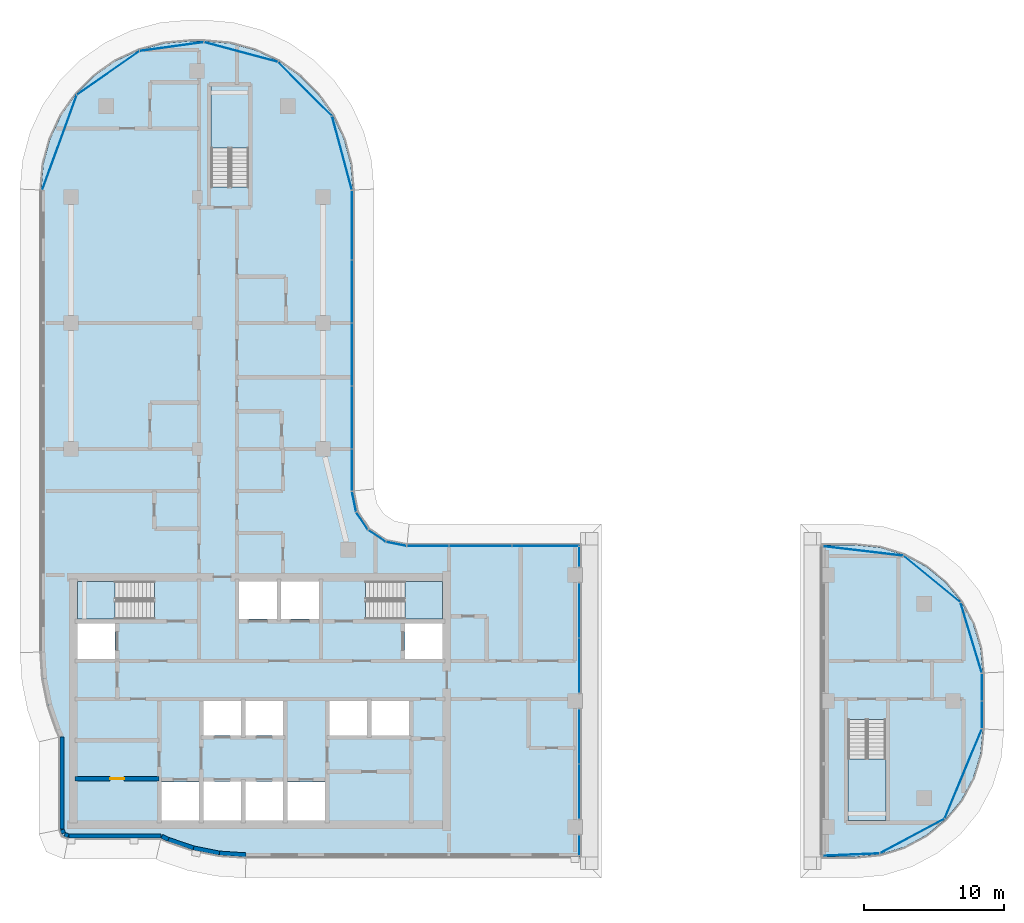
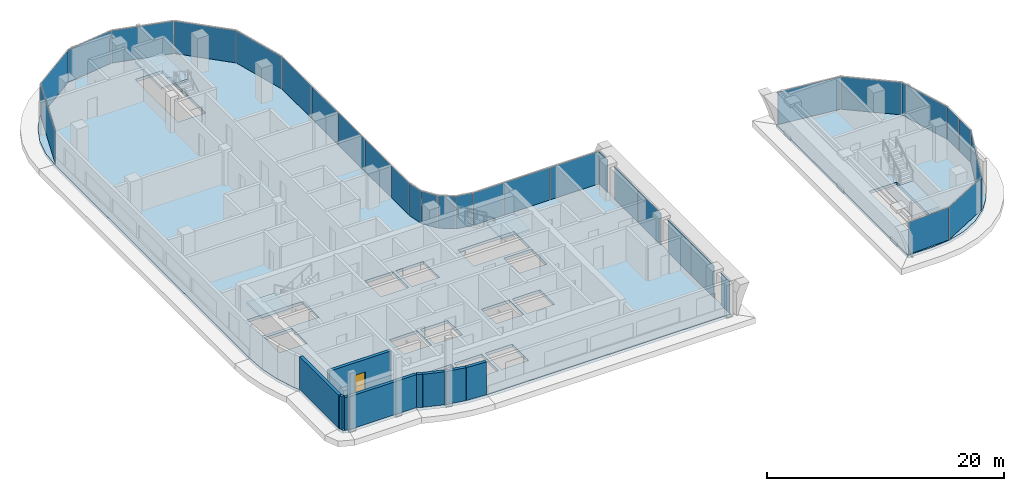
# One storey, part 9 of 26: 32 plates, 9 walls, 6 slabs, 1 door, 1 opening, 15 elements without a shape of their own.
"""IFC4 building model written with IfcOpenShell, lengths in metres."""

from ifc_helpers import new_model, si_unit, direction, frame, frame_2d, origin, origin_2d, place, context, subcontext, project, spatial, polyline, rectangle, outline, extrude, material, layer, layer_set, type_object, element, fill, aggregate, save


model = new_model("IFC4")

# Units and contexts
model_context = context("Model", 3, precision=1e-05, world=origin(), true_north=direction((0.0, 1.0)))
body_context = subcontext(model_context, "Body", "Model", "MODEL_VIEW")
ifc_project = project(units=[si_unit("LENGTHUNIT", "METRE"), si_unit("AREAUNIT", "SQUARE_METRE"), si_unit("VOLUMEUNIT", "CUBIC_METRE"), si_unit("PLANEANGLEUNIT", "RADIAN"), si_unit("MASSUNIT", "GRAM", prefix="KILO")], contexts=[model_context])

# Site, building, storey
site_placement = place(None, origin())
site = spatial("IfcSite", under=ifc_project, at=site_placement, CompositionType="ELEMENT")
building_placement = place(site_placement, origin())
building = spatial("IfcBuilding", under=site, at=building_placement, Name="Ogive Portal Towers", CompositionType="ELEMENT")
storey_placement = place(building_placement, frame((0.0, 0.0, 171.800048828125)))
storey = spatial("IfcBuildingStorey", under=building, at=storey_placement, Name="L42", CompositionType="ELEMENT", Elevation=171.800048828125)

# Curtain wall, plate
ifc_material_1 = material(Name="Glass, clear low-iron insulated glazing", Category="glass")
curtain_wall_type = type_object("IfcCurtainWallType", Name="CW FRONT RIBBON 4500", PredefinedType="NOTDEFINED", material=ifc_material_1)
curtain_wall_1_placement = place(storey_placement, origin())
curtain_wall_1 = element("IfcCurtainWall", 1, at=curtain_wall_1_placement, inside=storey, type_object=curtain_wall_type, Name="A:L42:f09:cw0~0", PredefinedType="NOTDEFINED")
ifc_layer_1 = layer(ifc_material_1, 0.028076171875)
ifc_layer_set_1 = layer_set([ifc_layer_1], Name="CW PANEL IGU 28")
plate_type = type_object("IfcPlateType", Name="CW PANEL IGU 28", PredefinedType="CURTAIN_PANEL", material=ifc_layer_set_1)
plate_1_placement = place(storey_placement, frame((67.800048828125, 20.1923828125, 0.0), z_axis=(0.0, 0.0, 1.0), x_axis=(0.0, 1.0, 0.0)))
plate_1 = element("IfcPlate", 2, at=plate_1_placement, type_object=plate_type, Name="panel", PredefinedType="CURTAIN_PANEL", context=body_context, shape_type="SweptSolid", body=[
    extrude(rectangle(XDim=1.455078125, YDim=0.028076171875, at=origin_2d()), origin(), (0.0, 0.0, 1.0), 3.340087890625),
])
aggregate(curtain_wall_1, [plate_1])

# Curtain wall, plates
curtain_wall_2_placement = place(storey_placement, origin())
curtain_wall_2 = element("IfcCurtainWall", 3, at=curtain_wall_2_placement, inside=storey, type_object=curtain_wall_type, Name="A:L42:f09:cw0~1", PredefinedType="NOTDEFINED")
plate_2_placement = place(storey_placement, frame((67.800048828125, 24.02490234375, 0.0), z_axis=(0.0, 0.0, 1.0), x_axis=(0.0, 1.0, 0.0)))
plate_2 = element("IfcPlate", 4, at=plate_2_placement, type_object=plate_type, Name="panel", PredefinedType="CURTAIN_PANEL", context=body_context, shape_type="SweptSolid", body=[
    extrude(rectangle(XDim=3.889892578125, YDim=0.028076171875, at=origin_2d()), origin(), (0.0, 0.0, 1.0), 3.340087890625),
])
plate_3_placement = place(storey_placement, frame((67.800048828125, 27.97509765625, 0.0), z_axis=(0.0, 0.0, 1.0), x_axis=(0.0, 1.0, 0.0)))
plate_3 = element("IfcPlate", 5, at=plate_3_placement, type_object=plate_type, Name="panel", PredefinedType="CURTAIN_PANEL", context=body_context, shape_type="SweptSolid", body=[
    extrude(rectangle(XDim=3.889892578125, YDim=0.028076171875, at=origin_2d()), origin(), (0.0, 0.0, 1.0), 3.340087890625),
])
aggregate(curtain_wall_2, [plate_2, plate_3])

curtain_wall_3_placement = place(storey_placement, origin())
curtain_wall_3 = element("IfcCurtainWall", 6, at=curtain_wall_3_placement, inside=storey, type_object=curtain_wall_type, Name="A:L42:f09:cw0~2", PredefinedType="NOTDEFINED")
plate_4_placement = place(storey_placement, frame((67.800048828125, 33.02490234375, 0.0), z_axis=(0.0, 0.0, 1.0), x_axis=(0.0, 1.0, 0.0)))
plate_4 = element("IfcPlate", 7, at=plate_4_placement, type_object=plate_type, Name="panel", PredefinedType="CURTAIN_PANEL", context=body_context, shape_type="SweptSolid", body=[
    extrude(rectangle(XDim=3.889892578125, YDim=0.028076171875, at=origin_2d()), origin(), (0.0, 0.0, 1.0), 3.340087890625),
])
plate_5_placement = place(storey_placement, frame((67.800048828125, 36.97509765625, 0.0), z_axis=(0.0, 0.0, 1.0), x_axis=(0.0, 1.0, 0.0)))
plate_5 = element("IfcPlate", 8, at=plate_5_placement, type_object=plate_type, Name="panel", PredefinedType="CURTAIN_PANEL", context=body_context, shape_type="SweptSolid", body=[
    extrude(rectangle(XDim=3.889892578125, YDim=0.028076171875, at=origin_2d()), origin(), (0.0, 0.0, 1.0), 3.340087890625),
])
aggregate(curtain_wall_3, [plate_4, plate_5])

# Curtain wall, plate
curtain_wall_4_placement = place(storey_placement, origin())
curtain_wall_4 = element("IfcCurtainWall", 9, at=curtain_wall_4_placement, inside=storey, type_object=curtain_wall_type, Name="A:L42:f09:cw0~3", PredefinedType="NOTDEFINED")
plate_6_placement = place(storey_placement, frame((67.800048828125, 40.8076171875, 0.0), z_axis=(0.0, 0.0, 1.0), x_axis=(0.0, 1.0, 0.0)))
plate_6 = element("IfcPlate", 10, at=plate_6_placement, type_object=plate_type, Name="panel", PredefinedType="CURTAIN_PANEL", context=body_context, shape_type="SweptSolid", body=[
    extrude(rectangle(XDim=1.455078125, YDim=0.028076171875, at=origin_2d()), origin(), (0.0, 0.0, 1.0), 3.340087890625),
])
aggregate(curtain_wall_4, [plate_6])

# Curtain wall, plates
curtain_wall_5_placement = place(storey_placement, origin())
curtain_wall_5 = element("IfcCurtainWall", 11, at=curtain_wall_5_placement, inside=storey, type_object=curtain_wall_type, Name="A:L42:f10:cw0", PredefinedType="NOTDEFINED")
plate_7_placement = place(storey_placement, frame((65.39990234375, 41.56494140625, 0.0), z_axis=(0.0, 0.0, 1.0), x_axis=(-1.0, 0.0, 0.0)))
plate_7 = element("IfcPlate", 12, at=plate_7_placement, type_object=plate_type, Name="panel", PredefinedType="CURTAIN_PANEL", context=body_context, shape_type="SweptSolid", body=[
    extrude(rectangle(XDim=4.739990234375, YDim=0.028076171875, at=origin_2d()), origin(), (0.0, 0.0, 1.0), 3.340087890625),
])
plate_8_placement = place(storey_placement, frame((60.75, 41.56494140625, 0.0), z_axis=(0.0, 0.0, 1.0), x_axis=(-1.0, 0.0, 0.0)))
plate_8 = element("IfcPlate", 13, at=plate_8_placement, type_object=plate_type, Name="panel", PredefinedType="CURTAIN_PANEL", context=body_context, shape_type="SweptSolid", body=[
    extrude(rectangle(XDim=4.43994140625, YDim=0.028076171875, at=origin_2d()), origin(), (0.0, 0.0, 1.0), 3.340087890625),
])
plate_9_placement = place(storey_placement, frame((56.99609375, 41.56494140625, 0.0), z_axis=(0.0, 0.0, 1.0), x_axis=(-1.0, 0.0, 0.0)))
plate_9 = element("IfcPlate", 14, at=plate_9_placement, type_object=plate_type, Name="panel", PredefinedType="CURTAIN_PANEL", context=body_context, shape_type="SweptSolid", body=[
    extrude(rectangle(XDim=2.947998046875, YDim=0.028076171875, at=origin_2d()), origin(), (0.0, 0.0, 1.0), 3.340087890625),
])
aggregate(curtain_wall_5, [plate_7, plate_8, plate_9])

curtain_wall_6_placement = place(storey_placement, origin())
curtain_wall_6 = element("IfcCurtainWall", 15, at=curtain_wall_6_placement, inside=storey, type_object=curtain_wall_type, Name="A:L42:f15:cw0", PredefinedType="NOTDEFINED")
plate_10_placement = place(storey_placement, frame((51.56494140625, 46.99609375, 0.0), z_axis=(0.0, 0.0, 1.0), x_axis=(0.0, 1.0, 0.0)))
plate_10 = element("IfcPlate", 16, at=plate_10_placement, type_object=plate_type, Name="panel", PredefinedType="CURTAIN_PANEL", context=body_context, shape_type="SweptSolid", body=[
    extrude(rectangle(XDim=2.947998046875, YDim=0.028076171875, at=origin_2d()), origin(), (0.0, 0.0, 1.0), 3.340087890625),
])
plate_11_placement = place(storey_placement, frame((51.56494140625, 50.75, 0.0), z_axis=(0.0, 0.0, 1.0), x_axis=(0.0, 1.0, 0.0)))
plate_11 = element("IfcPlate", 17, at=plate_11_placement, type_object=plate_type, Name="panel", PredefinedType="CURTAIN_PANEL", context=body_context, shape_type="SweptSolid", body=[
    extrude(rectangle(XDim=4.43994140625, YDim=0.028076171875, at=origin_2d()), origin(), (0.0, 0.0, 1.0), 3.340087890625),
])
plate_12_placement = place(storey_placement, frame((51.56494140625, 55.25, 0.0), z_axis=(0.0, 0.0, 1.0), x_axis=(0.0, 1.0, 0.0)))
plate_12 = element("IfcPlate", 18, at=plate_12_placement, type_object=plate_type, Name="panel", PredefinedType="CURTAIN_PANEL", context=body_context, shape_type="SweptSolid", body=[
    extrude(rectangle(XDim=4.43994140625, YDim=0.028076171875, at=origin_2d()), origin(), (0.0, 0.0, 1.0), 3.340087890625),
])
plate_13_placement = place(storey_placement, frame((51.56494140625, 59.75, 0.0), z_axis=(0.0, 0.0, 1.0), x_axis=(0.0, 1.0, 0.0)))
plate_13 = element("IfcPlate", 19, at=plate_13_placement, type_object=plate_type, Name="panel", PredefinedType="CURTAIN_PANEL", context=body_context, shape_type="SweptSolid", body=[
    extrude(rectangle(XDim=4.43994140625, YDim=0.028076171875, at=origin_2d()), origin(), (0.0, 0.0, 1.0), 3.340087890625),
])
plate_14_placement = place(storey_placement, frame((51.56494140625, 64.49462890625, 0.0), z_axis=(0.0, 0.0, 1.0), x_axis=(0.0, 1.0, 0.0)))
plate_14 = element("IfcPlate", 20, at=plate_14_placement, type_object=plate_type, Name="panel", PredefinedType="CURTAIN_PANEL", context=body_context, shape_type="SweptSolid", body=[
    extrude(rectangle(XDim=4.929443359375, YDim=0.028076171875, at=origin_2d()), origin(), (0.0, 0.0, 1.0), 3.340087890625),
])
aggregate(curtain_wall_6, [plate_10, plate_11, plate_12, plate_13, plate_14])

curtain_wall_7_placement = place(storey_placement, origin())
curtain_wall_7 = element("IfcCurtainWall", 21, at=curtain_wall_7_placement, inside=storey, type_object=curtain_wall_type, Name="A:L42:f31:cw0", PredefinedType="NOTDEFINED")
plate_15_placement = place(storey_placement, frame((96.56494140625, 29.508056640625, 0.0), z_axis=(0.0, 0.0, 1.0), x_axis=(0.0, 1.0, 0.0)))
plate_15 = element("IfcPlate", 22, at=plate_15_placement, type_object=plate_type, Name="panel", PredefinedType="CURTAIN_PANEL", context=body_context, shape_type="SweptSolid", body=[
    extrude(rectangle(XDim=1.924072265625, YDim=0.028076171875, at=origin_2d()), origin(), (0.0, 0.0, 1.0), 3.340087890625),
])
plate_16_placement = place(storey_placement, frame((96.56494140625, 31.494140625, 0.0), z_axis=(0.0, 0.0, 1.0), x_axis=(0.0, 1.0, 0.0)))
plate_16 = element("IfcPlate", 23, at=plate_16_placement, type_object=plate_type, Name="panel", PredefinedType="CURTAIN_PANEL", context=body_context, shape_type="SweptSolid", body=[
    extrude(rectangle(XDim=1.92822265625, YDim=0.028076171875, at=origin_2d()), origin(), (0.0, 0.0, 1.0), 3.340087890625),
])
aggregate(curtain_wall_7, [plate_15, plate_16])

curtain_wall_8_placement = place(storey_placement, origin())
curtain_wall_8 = element("IfcCurtainWall", 24, at=curtain_wall_8_placement, inside=storey, type_object=curtain_wall_type, Name="A:L42:f11:cwa", PredefinedType="NOTDEFINED")
plate_17_placement = place(storey_placement, frame((54.742919921875, 41.714111328125, 0.0), z_axis=(0.0, 0.0, 1.0), x_axis=(-0.980785280403, 0.195090322016, 0.0)))
plate_17 = element("IfcPlate", 25, at=plate_17_placement, type_object=plate_type, Name="panel", PredefinedType="CURTAIN_PANEL", context=body_context, shape_type="SweptSolid", body=[
    extrude(rectangle(XDim=1.468017578125, YDim=0.028076171875, at=origin_2d()), origin(), (0.0, 0.0, 1.0), 3.340087890625),
])
plate_18_placement = place(storey_placement, frame((53.35498046875, 42.289794921875, 0.0), z_axis=(0.0, 0.0, 1.0), x_axis=(-0.831469612303, 0.55557023302, 0.0)))
plate_18 = element("IfcPlate", 26, at=plate_18_placement, type_object=plate_type, Name="panel", PredefinedType="CURTAIN_PANEL", context=body_context, shape_type="SweptSolid", body=[
    extrude(rectangle(XDim=1.47607421875, YDim=0.028076171875, at=origin_2d()), origin(), (0.0, 0.0, 1.0), 3.340087890625),
])
plate_19_placement = place(storey_placement, frame((52.289794921875, 43.35498046875, 0.0), z_axis=(0.0, 0.0, 1.0), x_axis=(-0.55557023302, 0.831469612303, 0.0)))
plate_19 = element("IfcPlate", 27, at=plate_19_placement, type_object=plate_type, Name="panel", PredefinedType="CURTAIN_PANEL", context=body_context, shape_type="SweptSolid", body=[
    extrude(rectangle(XDim=1.47607421875, YDim=0.028076171875, at=origin_2d()), origin(), (0.0, 0.0, 1.0), 3.340087890625),
])
plate_20_placement = place(storey_placement, frame((51.714111328125, 44.742919921875, 0.0), z_axis=(0.0, 0.0, 1.0), x_axis=(-0.195090322016, 0.980785280403, 0.0)))
plate_20 = element("IfcPlate", 28, at=plate_20_placement, type_object=plate_type, Name="panel", PredefinedType="CURTAIN_PANEL", context=body_context, shape_type="SweptSolid", body=[
    extrude(rectangle(XDim=1.468017578125, YDim=0.028076171875, at=origin_2d()), origin(), (0.0, 0.0, 1.0), 3.340087890625),
])
aggregate(curtain_wall_8, [plate_17, plate_18, plate_19, plate_20])

curtain_wall_9_placement = place(storey_placement, origin())
curtain_wall_9 = element("IfcCurtainWall", 29, at=curtain_wall_9_placement, inside=storey, type_object=curtain_wall_type, Name="A:L42:f16:cwa", PredefinedType="NOTDEFINED")
plate_21_placement = place(storey_placement, frame((50.85595703125, 69.63525390625, 0.0), z_axis=(0.0, 0.0, 1.0), x_axis=(-0.258819045103, 0.965925826289, 0.0)))
plate_21 = element("IfcPlate", 30, at=plate_21_placement, type_object=plate_type, Name="panel", PredefinedType="CURTAIN_PANEL", context=body_context, shape_type="SweptSolid", body=[
    extrude(rectangle(XDim=5.418212890625, YDim=0.028076171875, at=origin_2d()), origin(), (0.0, 0.0, 1.0), 3.340087890625),
])
plate_22_placement = place(storey_placement, frame((48.214111328125, 74.214111328125, 0.0), z_axis=(0.0, 0.0, 1.0), x_axis=(-0.707106781187, 0.707106781187, 0.0)))
plate_22 = element("IfcPlate", 31, at=plate_22_placement, type_object=plate_type, Name="panel", PredefinedType="CURTAIN_PANEL", context=body_context, shape_type="SweptSolid", body=[
    extrude(rectangle(XDim=5.407470703125, YDim=0.028076171875, at=origin_2d()), origin(), (0.0, 0.0, 1.0), 3.340087890625),
])
plate_23_placement = place(storey_placement, frame((43.637939453125, 76.855224609375, 0.0), z_axis=(0.0, 0.0, 1.0), x_axis=(-0.965925826289, 0.258819045103, 0.0)))
plate_23 = element("IfcPlate", 32, at=plate_23_placement, type_object=plate_type, Name="panel", PredefinedType="CURTAIN_PANEL", context=body_context, shape_type="SweptSolid", body=[
    extrude(rectangle(XDim=5.41259765625, YDim=0.028076171875, at=origin_2d()), origin(), (0.0, 0.0, 1.0), 3.340087890625),
])
plate_24_placement = place(storey_placement, frame((38.692138671875, 77.244873046875, 0.0), z_axis=(0.0, 0.0, 1.0), x_axis=(-0.990567282946, -0.137027216118, 0.0)))
plate_24 = element("IfcPlate", 33, at=plate_24_placement, type_object=plate_type, Name="panel", PredefinedType="CURTAIN_PANEL", context=body_context, shape_type="SweptSolid", body=[
    extrude(rectangle(XDim=4.589599609375, YDim=0.028076171875, at=origin_2d()), origin(), (0.0, 0.0, 1.0), 3.340087890625),
])
plate_25_placement = place(storey_placement, frame((34.150634765625, 75.35888671875, 0.0), z_axis=(0.0, 0.0, 1.0), x_axis=(-0.819152044289, -0.573576436351, 0.0)))
plate_25 = element("IfcPlate", 34, at=plate_25_placement, type_object=plate_type, Name="panel", PredefinedType="CURTAIN_PANEL", context=body_context, shape_type="SweptSolid", body=[
    extrude(rectangle(XDim=5.40576171875, YDim=0.028076171875, at=origin_2d()), origin(), (0.0, 0.0, 1.0), 3.340087890625),
])
plate_26_placement = place(storey_placement, frame((30.673583984375, 70.388671875, 0.0), z_axis=(0.0, 0.0, 1.0), x_axis=(-0.342020143326, -0.939692620786, 0.0)))
plate_26 = element("IfcPlate", 35, at=plate_26_placement, type_object=plate_type, Name="panel", PredefinedType="CURTAIN_PANEL", context=body_context, shape_type="SweptSolid", body=[
    extrude(rectangle(XDim=7.182373046875, YDim=0.028076171875, at=origin_2d()), origin(), (0.0, 0.0, 1.0), 3.340087890625),
])
aggregate(curtain_wall_9, [plate_21, plate_22, plate_23, plate_24, plate_25, plate_26])

curtain_wall_10_placement = place(storey_placement, origin())
curtain_wall_10 = element("IfcCurtainWall", 36, at=curtain_wall_10_placement, inside=storey, type_object=curtain_wall_type, Name="A:L42:f28:cwa", PredefinedType="NOTDEFINED")
plate_27_placement = place(storey_placement, frame((87.231201171875, 19.524169921875, 0.0), z_axis=(0.0, 0.0, 1.0), x_axis=(0.999110832713, 0.04216092926, 0.0)))
plate_27 = element("IfcPlate", 37, at=plate_27_placement, type_object=plate_type, Name="panel", PredefinedType="CURTAIN_PANEL", context=body_context, shape_type="SweptSolid", body=[
    extrude(rectangle(XDim=4.006103515625, YDim=0.028076171875, at=origin_2d()), origin(), (0.0, 0.0, 1.0), 3.340087890625),
])
plate_28_placement = place(storey_placement, frame((91.5830078125, 20.850341796875, 0.0), z_axis=(0.0, 0.0, 1.0), x_axis=(0.881921264348, 0.471396736826, 0.0)))
plate_28 = element("IfcPlate", 38, at=plate_28_placement, type_object=plate_type, Name="panel", PredefinedType="CURTAIN_PANEL", context=body_context, shape_type="SweptSolid", body=[
    extrude(rectangle(XDim=5.202392578125, YDim=0.028076171875, at=origin_2d()), origin(), (0.0, 0.0, 1.0), 3.340087890625),
])
plate_29_placement = place(storey_placement, frame((95.234375, 25.30322265625, 0.0), z_axis=(0.0, 0.0, 1.0), x_axis=(0.382683432365, 0.923879532511, 0.0)))
plate_29 = element("IfcPlate", 39, at=plate_29_placement, type_object=plate_type, Name="panel", PredefinedType="CURTAIN_PANEL", context=body_context, shape_type="SweptSolid", body=[
    extrude(rectangle(XDim=6.894775390625, YDim=0.028076171875, at=origin_2d()), origin(), (0.0, 0.0, 1.0), 3.340087890625),
])
aggregate(curtain_wall_10, [plate_27, plate_28, plate_29])

curtain_wall_11_placement = place(storey_placement, origin())
curtain_wall_11 = element("IfcCurtainWall", 40, at=curtain_wall_11_placement, inside=storey, type_object=curtain_wall_type, Name="A:L42:f32:cwa", PredefinedType="NOTDEFINED")
plate_30_placement = place(storey_placement, frame((95.799560546875, 35.01123046875, 0.0), z_axis=(0.0, 0.0, 1.0), x_axis=(-0.290284677254, 0.956940335732, 0.0)))
plate_30 = element("IfcPlate", 41, at=plate_30_placement, type_object=plate_type, Name="panel", PredefinedType="CURTAIN_PANEL", context=body_context, shape_type="SweptSolid", body=[
    extrude(rectangle(XDim=5.213134765625, YDim=0.028076171875, at=origin_2d()), origin(), (0.0, 0.0, 1.0), 3.340087890625),
])
plate_31_placement = place(storey_placement, frame((93.000732421875, 39.203125, 0.0), z_axis=(0.0, 0.0, 1.0), x_axis=(-0.773010453363, 0.634393284164, 0.0)))
plate_31 = element("IfcPlate", 42, at=plate_31_placement, type_object=plate_type, Name="panel", PredefinedType="CURTAIN_PANEL", context=body_context, shape_type="SweptSolid", body=[
    extrude(rectangle(XDim=5.20166015625, YDim=0.028076171875, at=origin_2d()), origin(), (0.0, 0.0, 1.0), 3.340087890625),
])
plate_32_placement = place(storey_placement, frame((88.08349609375, 41.213623046875, 0.0), z_axis=(0.0, 0.0, 1.0), x_axis=(-0.993064110779, 0.117574112297, 0.0)))
plate_32 = element("IfcPlate", 43, at=plate_32_placement, type_object=plate_type, Name="panel", PredefinedType="CURTAIN_PANEL", context=body_context, shape_type="SweptSolid", body=[
    extrude(rectangle(XDim=5.747314453125, YDim=0.028076171875, at=origin_2d()), origin(), (0.0, 0.0, 1.0), 3.340087890625),
])
aggregate(curtain_wall_11, [plate_30, plate_31, plate_32])

# Stair, slab
ifc_material_2 = material(Name="Concrete C40/50", Category="concrete")
stair_type = type_object("IfcStairType", Name="INT-STAIR", PredefinedType="HALF_TURN_STAIR", material=ifc_material_2)
stair_1_placement = place(storey_placement, origin())
stair_1 = element("IfcStair", 44, at=stair_1_placement, inside=storey, type_object=stair_type, Name="L42 Exit Stair ST-A1", PredefinedType="HALF_TURN_STAIR")
ifc_layer_2 = layer(ifc_material_2, 0.199951171875)
ifc_layer_set_2 = layer_set([ifc_layer_2], Name="INT-LANDING")
slab_type_1 = type_object("IfcSlabType", Name="INT-LANDING", PredefinedType="LANDING", material=ifc_layer_set_2)
slab_1_placement = place(storey_placement, frame((0.0, 0.0, 1.64990234375)))
slab_1 = element("IfcSlab", 45, at=slab_1_placement, type_object=slab_type_1, Name="ST-A1 landing 1", PredefinedType="LANDING", context=body_context, shape_type="SweptSolid", body=[
    extrude(outline(polyline([(34.64990234375, 39.050048828125), (31.949951171875, 39.050048828125), (31.949951171875, 36.35009765625), (34.64990234375, 36.35009765625), (34.64990234375, 39.050048828125)])), origin(), (0.0, 0.0, 1.0), 0.199951171875),
])
aggregate(stair_1, [slab_1])

stair_2_placement = place(storey_placement, origin())
stair_2 = element("IfcStair", 46, at=stair_2_placement, inside=storey, type_object=stair_type, Name="L42 Exit Stair ST-A2", PredefinedType="HALF_TURN_STAIR")
slab_2_placement = place(storey_placement, frame((0.0, 0.0, 1.64990234375)))
slab_2 = element("IfcSlab", 47, at=slab_2_placement, type_object=slab_type_1, Name="ST-A2 landing 1", PredefinedType="LANDING", context=body_context, shape_type="SweptSolid", body=[
    extrude(outline(polyline([(55.35009765625, 36.35009765625), (58.050048828125, 36.35009765625), (58.050048828125, 39.050048828125), (55.35009765625, 39.050048828125), (55.35009765625, 36.35009765625)])), origin(), (0.0, 0.0, 1.0), 0.199951171875),
])
aggregate(stair_2, [slab_2])

stair_3_placement = place(storey_placement, origin())
stair_3 = element("IfcStair", 48, at=stair_3_placement, inside=storey, type_object=stair_type, Name="L42 Exit Stair ST-A3", PredefinedType="HALF_TURN_STAIR")
slab_3_placement = place(storey_placement, frame((0.0, 0.0, 1.64990234375)))
slab_3 = element("IfcSlab", 49, at=slab_3_placement, type_object=slab_type_1, Name="ST-A3 landing 1", PredefinedType="LANDING", context=body_context, shape_type="SweptSolid", body=[
    extrude(outline(polyline([(44.199951171875, 70.0), (44.199951171875, 74.449951171875), (41.5, 74.449951171875), (41.5, 70.0), (44.199951171875, 70.0)])), origin(), (0.0, 0.0, 1.0), 0.199951171875),
])
aggregate(stair_3, [slab_3])

stair_4_placement = place(storey_placement, origin())
stair_4 = element("IfcStair", 50, at=stair_4_placement, inside=storey, type_object=stair_type, Name="L42 Exit Stair ST-A4", PredefinedType="HALF_TURN_STAIR")
slab_4_placement = place(storey_placement, frame((0.0, 0.0, 1.64990234375)))
slab_4 = element("IfcSlab", 51, at=slab_4_placement, type_object=slab_type_1, Name="ST-A4 landing 1", PredefinedType="LANDING", context=body_context, shape_type="SweptSolid", body=[
    extrude(outline(polyline([(87.0, 26.3701171875), (87.0, 21.949951171875), (89.699951171875, 21.949951171875), (89.699951171875, 26.3701171875), (87.0, 26.3701171875)])), origin(), (0.0, 0.0, 1.0), 0.199951171875),
])
aggregate(stair_4, [slab_4])

# Slabs
ifc_material_3 = material(Name="Concrete C45/55", Category="concrete")
ifc_layer_3 = layer(ifc_material_3, 0.300048828125)
ifc_layer_set_3 = layer_set([ifc_layer_3], Name="PT FLAT PLATE 300")
slab_type_2 = type_object("IfcSlabType", Name="PT FLAT PLATE 300", PredefinedType="FLOOR", material=ifc_layer_set_3)
slab_5_placement = place(storey_placement, frame((0.0, 0.0, -0.300048828125)))
element("IfcSlab", 52, at=slab_5_placement, inside=storey, type_object=slab_type_2, Name="Floor slab L42", PredefinedType="FLOOR", context=body_context, shape_type="SweptSolid", body=[
    extrude(outline(polyline([(29.480224609375, 32.08837890625), (29.85400390625, 30.209716796875), (30.4697265625, 28.3955078125), (30.699951171875, 27.9287109375), (30.699951171875, 21.300048828125), (30.875732421875, 20.875732421875), (31.300048828125, 20.699951171875), (37.9287109375, 20.699951171875), (38.3955078125, 20.4697265625), (40.209716796875, 19.85400390625), (42.08837890625, 19.480224609375), (44.0, 19.35498046875), (67.8798828125, 19.35498046875), (67.8798828125, 41.64501953125), (55.5, 41.64501953125), (54.02490234375, 41.9384765625), (52.774169921875, 42.774169921875), (51.9384765625, 44.02490234375), (51.64501953125, 45.5), (51.64501953125, 67.0), (51.4833984375, 68.848388671875), (51.0029296875, 70.640869140625), (50.21875, 72.322509765625), (49.154541015625, 73.842529296875), (47.842529296875, 75.154541015625), (46.322509765625, 76.21875), (44.640869140625, 77.0029296875), (42.848388671875, 77.4833984375), (41.0, 77.64501953125), (40.0, 77.64501953125), (38.151611328125, 77.4833984375), (36.359130859375, 77.0029296875), (34.677490234375, 76.21875), (33.157470703125, 75.154541015625), (31.845458984375, 73.842529296875), (30.78125, 72.322509765625), (29.9970703125, 70.640869140625), (29.5166015625, 68.848388671875), (29.35498046875, 67.0), (29.35498046875, 34.0), (29.480224609375, 32.08837890625)]), holes=[polyline([(40.6298828125, 21.969970703125), (37.969970703125, 21.969970703125), (37.969970703125, 24.72998046875), (40.6298828125, 24.72998046875), (40.6298828125, 21.969970703125)]), polyline([(43.64990234375, 24.75), (43.64990234375, 21.949951171875), (40.949951171875, 21.949951171875), (40.949951171875, 24.75), (43.64990234375, 24.75)]), polyline([(46.64990234375, 24.75), (46.64990234375, 21.949951171875), (43.949951171875, 21.949951171875), (43.949951171875, 24.75), (46.64990234375, 24.75)]), polyline([(43.64990234375, 30.5), (43.64990234375, 28.050048828125), (40.949951171875, 28.050048828125), (40.949951171875, 30.5), (43.64990234375, 30.5)]), polyline([(34.64990234375, 36.050048828125), (34.64990234375, 33.5), (31.949951171875, 33.5), (31.949951171875, 36.050048828125), (34.64990234375, 36.050048828125)]), polyline([(31.951904296875, 39.048095703125), (37.447998046875, 39.048095703125), (37.447998046875, 36.35205078125), (31.951904296875, 36.35205078125), (31.951904296875, 39.048095703125)]), polyline([(46.199951171875, 39.050048828125), (46.199951171875, 36.35009765625), (43.5, 36.35009765625), (43.5, 39.050048828125), (46.199951171875, 39.050048828125)]), polyline([(44.197998046875, 74.447998046875), (44.197998046875, 67.201904296875), (41.501953125, 67.201904296875), (41.501953125, 74.447998046875), (44.197998046875, 74.447998046875)]), polyline([(49.6298828125, 21.969970703125), (46.969970703125, 21.969970703125), (46.969970703125, 24.72998046875), (49.6298828125, 24.72998046875), (49.6298828125, 21.969970703125)]), polyline([(46.64990234375, 30.5), (46.64990234375, 28.050048828125), (43.949951171875, 28.050048828125), (43.949951171875, 30.5), (46.64990234375, 30.5)]), polyline([(52.64990234375, 30.5), (52.64990234375, 28.050048828125), (49.949951171875, 28.050048828125), (49.949951171875, 30.5), (52.64990234375, 30.5)]), polyline([(55.64990234375, 30.5), (55.64990234375, 28.050048828125), (52.949951171875, 28.050048828125), (52.949951171875, 30.5), (55.64990234375, 30.5)]), polyline([(58.050048828125, 36.050048828125), (58.050048828125, 33.5), (55.35009765625, 33.5), (55.35009765625, 36.050048828125), (58.050048828125, 36.050048828125)]), polyline([(49.199951171875, 39.050048828125), (49.199951171875, 36.35009765625), (46.5, 36.35009765625), (46.5, 39.050048828125), (49.199951171875, 39.050048828125)]), polyline([(58.048095703125, 36.35205078125), (52.552001953125, 36.35205078125), (52.552001953125, 39.048095703125), (58.048095703125, 39.048095703125), (58.048095703125, 36.35205078125)])]), origin(), (0.0, 0.0, 1.0), 0.300048828125),
])
slab_6_placement = place(storey_placement, frame((0.0, 0.0, -0.300048828125)))
element("IfcSlab", 53, at=slab_6_placement, inside=storey, type_object=slab_type_2, Name="Floor slab L42", PredefinedType="FLOOR", context=body_context, shape_type="SweptSolid", body=[
    extrude(outline(polyline([(89.2841796875, 41.46923828125), (87.5, 41.64501953125), (85.1201171875, 41.64501953125), (85.1201171875, 19.35498046875), (87.5, 19.35498046875), (89.2841796875, 19.53076171875), (90.99951171875, 20.051025390625), (92.580810546875, 20.896240234375), (93.966552734375, 22.033447265625), (95.103759765625, 23.419189453125), (95.948974609375, 25.00048828125), (96.46923828125, 26.7158203125), (96.64501953125, 28.5), (96.64501953125, 32.5), (96.46923828125, 34.2841796875), (95.948974609375, 35.99951171875), (95.103759765625, 37.580810546875), (93.966552734375, 38.966552734375), (92.580810546875, 40.103759765625), (90.99951171875, 40.948974609375), (89.2841796875, 41.46923828125)]), holes=[polyline([(87.001953125, 21.951904296875), (87.001953125, 29.16796875), (89.697998046875, 29.16796875), (89.697998046875, 21.951904296875), (87.001953125, 21.951904296875)])]), origin(), (0.0, 0.0, 1.0), 0.300048828125),
])

# Walls
ifc_material_4 = material(Name="Limestone cladding on lightweight block wall", Category="masonry")
ifc_layer_4 = layer(ifc_material_4, 0.300048828125)
ifc_layer_set_4 = layer_set([ifc_layer_4], Name="EXTERNAL WALL 300 STONE")
wall_type_1 = type_object("IfcWallType", Name="EXTERNAL WALL 300 STONE", PredefinedType="SOLIDWALL", material=ifc_layer_set_4)
wall_1_placement = place(storey_placement, frame((30.85009765625, 27.9287109375, 0.0), z_axis=(0.0, 0.0, 1.0), x_axis=(0.0, -1.0, 0.0)))
element("IfcWall", 54, at=wall_1_placement, inside=storey, type_object=wall_type_1, Name="A:L42:f00:r0:wall", PredefinedType="SOLIDWALL", context=body_context, shape_type="SweptSolid", body=[
    extrude(rectangle(XDim=6.569091796875, YDim=0.300048828125, at=frame_2d((3.28466796875, 0.0))), origin(), (0.0, 0.0, 1.0), 3.39990234375),
])
for number, where, z_axis, x_axis, name in (
    (55, (30.861328125, 21.30224609375, 0.0), (0.0, 0.0, 1.0), (0.38297812142, -0.923757413239, 0.0), "A:L42:f01:r0:wall"),
    (56, (31.0478515625, 20.966796875, 0.0), (0.0, 0.0, 1.0), (0.923757413239, -0.38297812142, 0.0), "A:L42:f02:r0:wall"),
):
    element("IfcWall", number, at=place(storey_placement, frame(where, z_axis=z_axis, x_axis=x_axis)), inside=storey, type_object=wall_type_1, Name=name, PredefinedType="SOLIDWALL", context=body_context, shape_type="SweptSolid", body=[
        extrude(rectangle(XDim=0.275390625, YDim=0.300048828125, at=frame_2d((0.1376953125, 0.0))), origin(), (0.0, 0.0, 1.0), 3.39990234375),
    ])
wall_2_placement = place(storey_placement, frame((31.359619140625, 20.85009765625, 0.0), z_axis=(0.0, 0.0, 1.0), x_axis=(1.0, 0.0, 0.0)))
element("IfcWall", 57, at=wall_2_placement, inside=storey, type_object=wall_type_1, Name="A:L42:f03:r0:wall", PredefinedType="SOLIDWALL", context=body_context, shape_type="SweptSolid", body=[
    extrude(rectangle(XDim=6.569091796875, YDim=0.300048828125, at=frame_2d((3.28466796875, 0.0))), origin(), (0.0, 0.0, 1.0), 3.39990234375),
])
wall_3_placement = place(storey_placement, frame((37.9951171875, 20.83447265625, 0.0), z_axis=(0.0, 0.0, 1.0), x_axis=(0.896947675211, -0.442136707291, 0.0)))
element("IfcWall", 58, at=wall_3_placement, inside=storey, type_object=wall_type_1, Name="A:L42:f04:r0:wall", PredefinedType="SOLIDWALL", context=body_context, shape_type="SweptSolid", body=[
    extrude(rectangle(XDim=0.500732421875, YDim=0.300048828125, at=frame_2d((0.25048828125, 0.0))), origin(), (0.0, 0.0, 1.0), 3.39990234375),
])
for number, where, z_axis, x_axis, name in (
    (59, (38.46240234375, 20.60546875, 0.0), (0.0, 0.0, 1.0), (0.946951833826, -0.321375519312, 0.0), "A:L42:f05:r0:wall"),
    (60, (40.258056640625, 19.997314453125, 0.0), (0.0, 0.0, 1.0), (0.980795273054, -0.195040078842, 0.0), "A:L42:f06:r0:wall"),
):
    element("IfcWall", number, at=place(storey_placement, frame(where, z_axis=z_axis, x_axis=x_axis)), inside=storey, type_object=wall_type_1, Name=name, PredefinedType="SOLIDWALL", context=body_context, shape_type="SweptSolid", body=[
        extrude(rectangle(XDim=1.87646484375, YDim=0.300048828125, at=frame_2d((0.938232421875, 0.0))), origin(), (0.0, 0.0, 1.0), 3.39990234375),
    ])
wall_4_placement = place(storey_placement, frame((42.117919921875, 19.628662109375, 0.0), z_axis=(0.0, 0.0, 1.0), x_axis=(0.997861241975, -0.065367742534, 0.0)))
element("IfcWall", 61, at=wall_4_placement, inside=storey, type_object=wall_type_1, Name="A:L42:f07:r0:wall", PredefinedType="SOLIDWALL", context=body_context, shape_type="SweptSolid", body=[
    extrude(rectangle(XDim=1.88623046875, YDim=0.300048828125, at=frame_2d((0.943115234375, 0.0))), origin(), (0.0, 0.0, 1.0), 3.39990234375),
])

# Wall, opening, door
ifc_material_5 = material(Name="Gypsum board partition on steel studs", Category="steel")
ifc_layer_5 = layer(ifc_material_5, 0.300048828125)
ifc_layer_set_5 = layer_set([ifc_layer_5], Name="WT-PART-300")
wall_type_2 = type_object("IfcWallType", Name="WT-PART-300", PredefinedType="PARTITIONING", material=ifc_layer_set_5)
wall_5_placement = place(storey_placement, frame((31.800048828125, 24.949951171875, 0.0), z_axis=(0.0, 0.0, 1.0), x_axis=(1.0, 0.0, 0.0)))
wall_5 = element("IfcWall", 62, at=wall_5_placement, inside=storey, type_object=wall_type_2, Name="Wall pw:002:L42", PredefinedType="PARTITIONING", context=body_context, shape_type="SweptSolid", body=[
    extrude(rectangle(XDim=6.0, YDim=0.300048828125, at=frame_2d((3.0, 0.0))), origin(), (0.0, 0.0, 1.0), 3.39990234375),
])
opening_placement = place(wall_5_placement, frame((2.5, 0.0, 0.0)))
opening = element("IfcOpeningElement", 63, at=opening_placement, cuts=wall_5, Name="Opening D17-023", PredefinedType="OPENING", context=body_context, shape_type="SweptSolid", body=[
    extrude(rectangle(XDim=1.0, YDim=2.10009765625, at=frame_2d((0.5, 1.050048828125))), frame((0.0, 0.16015625, 0.0), z_axis=(0.0, -1.0, 0.0), x_axis=(1.0, 0.0, 0.0)), (0.0, 0.0, 1.0), 0.320068359375),
])
ifc_material_6 = material(Name="Steel fire door", Category="steel")
door_type = type_object("IfcDoorType", Name="DT-SWING-1000x2100-FD60S", OperationType="SINGLE_SWING_LEFT", PredefinedType="DOOR", material=ifc_material_6)
door_placement = place(opening_placement, origin())
door = element("IfcDoor", 64, at=door_placement, inside=storey, type_object=door_type, Name="Door D17-023", OperationType="SINGLE_SWING_RIGHT", OverallHeight=2.10009765625, OverallWidth=1.0, PredefinedType="DOOR", context=body_context, shape_type="SweptSolid", body=[
    extrude(rectangle(XDim=1.0, YDim=2.10009765625, at=frame_2d((0.5, 1.050048828125))), frame((0.0, 0.02490234375, 0.0), z_axis=(0.0, -1.0, 0.0), x_axis=(1.0, 0.0, 0.0)), (0.0, 0.0, 1.0), 0.050048828125),
])
fill(opening, door)

save(model, "model.ifc")
